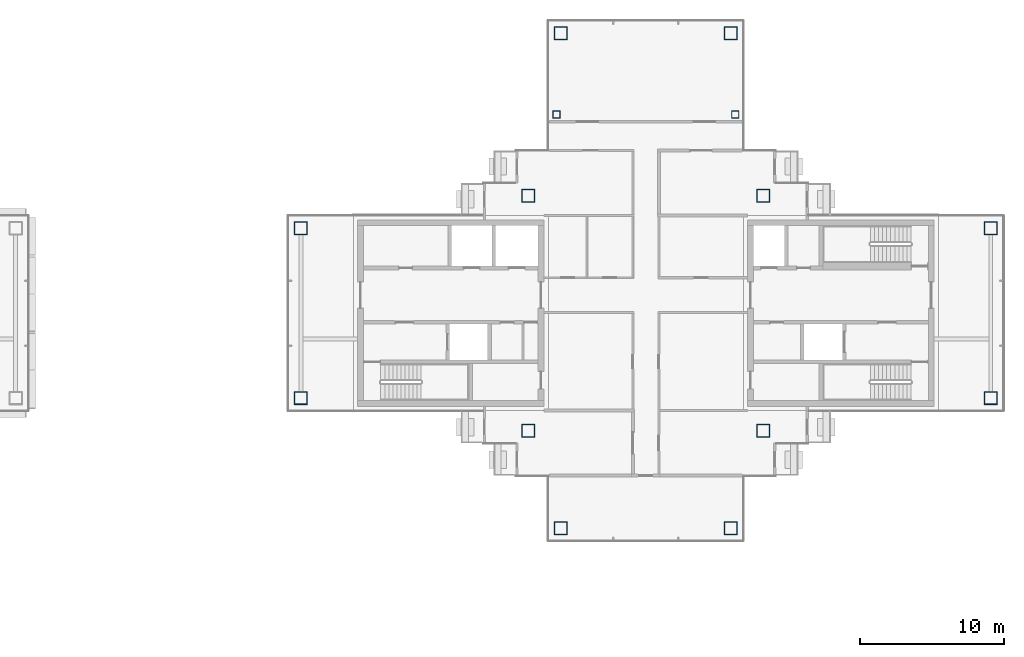
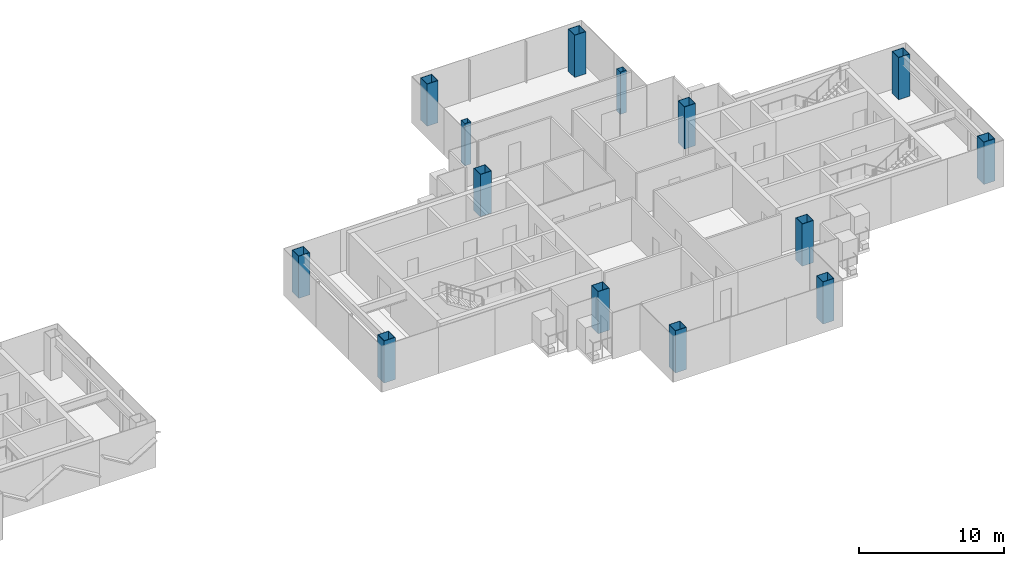
# One storey, part 2 of 17: 14 columns.
"""IFC4 building model written with IfcOpenShell, lengths in metres."""

from ifc_helpers import new_model, si_unit, direction, frame, origin, origin_2d, place, context, subcontext, project, spatial, hollow_rectangle, extrude, material, material_profile, profile_set, type_object, element, save


model = new_model("IFC4")

# Units and contexts
model_context = context("Model", 3, precision=1e-05, world=origin(), true_north=direction((0.0, 1.0)))
body_context = subcontext(model_context, "Body", "Model", "MODEL_VIEW")
ifc_project = project(units=[si_unit("LENGTHUNIT", "METRE"), si_unit("AREAUNIT", "SQUARE_METRE"), si_unit("VOLUMEUNIT", "CUBIC_METRE"), si_unit("PLANEANGLEUNIT", "RADIAN"), si_unit("MASSUNIT", "GRAM", prefix="KILO")], contexts=[model_context])

# Site, building, storey
site_placement = place(None, origin())
site = spatial("IfcSite", under=ifc_project, at=site_placement, CompositionType="ELEMENT")
building_placement = place(site_placement, origin())
building = spatial("IfcBuilding", under=site, at=building_placement, Name="Shamsa Quay Exchange Towers", CompositionType="ELEMENT")
storey_placement = place(building_placement, frame((0.0, 0.0, 238.199951171875)))
storey = spatial("IfcBuildingStorey", under=building, at=storey_placement, Name="L57", CompositionType="ELEMENT", Elevation=238.199951171875)

# Columns
ifc_material_1 = material(Name="Concrete-filled steel tube S355 / C60/75", Category="concrete")
ifc_material_profile_1 = material_profile(ifc_material_1, hollow_rectangle(XDim=0.5, YDim=0.5, WallThickness=0.01611328125, at=origin_2d()), Name="CFT 500x500x16")
ifc_profile_set_1 = profile_set([ifc_material_profile_1], Name="Concrete-filled steel tube S355 / C60/75")
column_type_1 = type_object("IfcColumnType", Name="Column CFT 500x500x16", PredefinedType="COLUMN", material=ifc_profile_set_1)
for number, where, name in (
    (1, (39.9375, 13.75, 0.0), "Perimeter column T2-CP05"),
    (2, (27.5625, 13.75, 0.0), "Perimeter column T2-CP09"),
):
    element("IfcColumn", number, at=place(storey_placement, frame(where)), inside=storey, type_object=column_type_1, Name=name, PredefinedType="COLUMN", context=body_context, shape_type="SweptSolid", body=[
        extrude(hollow_rectangle(XDim=0.5, YDim=0.5, WallThickness=0.01611328125, at=origin_2d()), origin(), (0.0, 0.0, 1.0), 3.550048828125),
    ])
ifc_material_2 = material(Name="Concrete-filled steel tube S355 / C80/95", Category="concrete")
ifc_material_profile_2 = material_profile(ifc_material_2, hollow_rectangle(XDim=0.89990234375, YDim=0.89990234375, WallThickness=0.035888671875, at=origin_2d()), Name="CFT 900x900x36")
ifc_profile_set_2 = profile_set([ifc_material_profile_2], Name="Concrete-filled steel tube S355 / C80/95")
column_type_2 = type_object("IfcColumnType", Name="Column CFT 900x900x36", PredefinedType="COLUMN", material=ifc_profile_set_2)
for number, where, name in (
    (3, (25.625, 8.125, 0.0), "Mega column T2-CM01"),
    (4, (41.875, 8.125, 0.0), "Mega column T2-CM02"),
    (5, (25.625, -8.125, 0.0), "Mega column T2-CM03"),
    (6, (41.875, -8.125, 0.0), "Mega column T2-CM04"),
    (7, (39.625, 19.375, 0.0), "Mega column T2-CM06"),
    (8, (27.875, 19.375, 0.0), "Mega column T2-CM10"),
    (9, (39.625, -14.875, 0.0), "Mega column T2-CM13"),
    (10, (27.875, -14.875, 0.0), "Mega column T2-CM16"),
    (11, (9.875, -5.875, 0.0), "Mega column T2-CM19"),
    (12, (9.875, 5.875, 0.0), "Mega column T2-CM20"),
    (13, (57.625, -5.875, 0.0), "Mega column T2-CM21"),
    (14, (57.625, 5.875, 0.0), "Mega column T2-CM23"),
):
    element("IfcColumn", number, at=place(storey_placement, frame(where)), inside=storey, type_object=column_type_2, Name=name, PredefinedType="COLUMN", context=body_context, shape_type="SweptSolid", body=[
        extrude(hollow_rectangle(XDim=0.89990234375, YDim=0.89990234375, WallThickness=0.035888671875, at=origin_2d()), origin(), (0.0, 0.0, 1.0), 3.550048828125),
    ])

save(model, "model.ifc")
